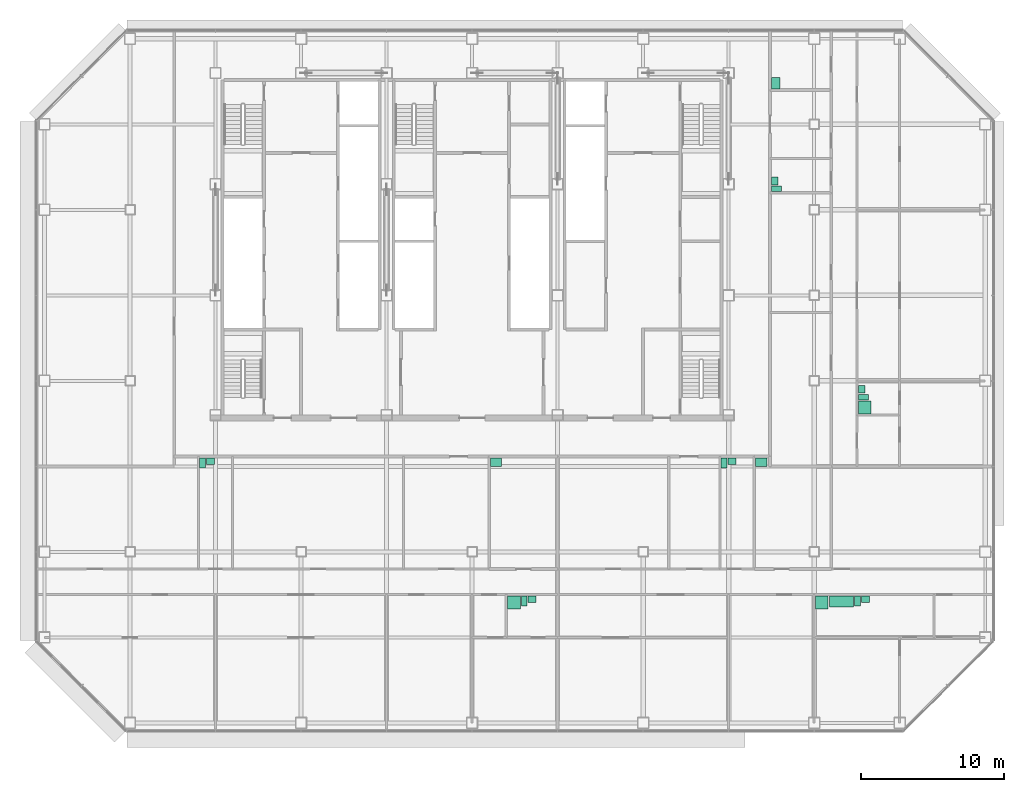
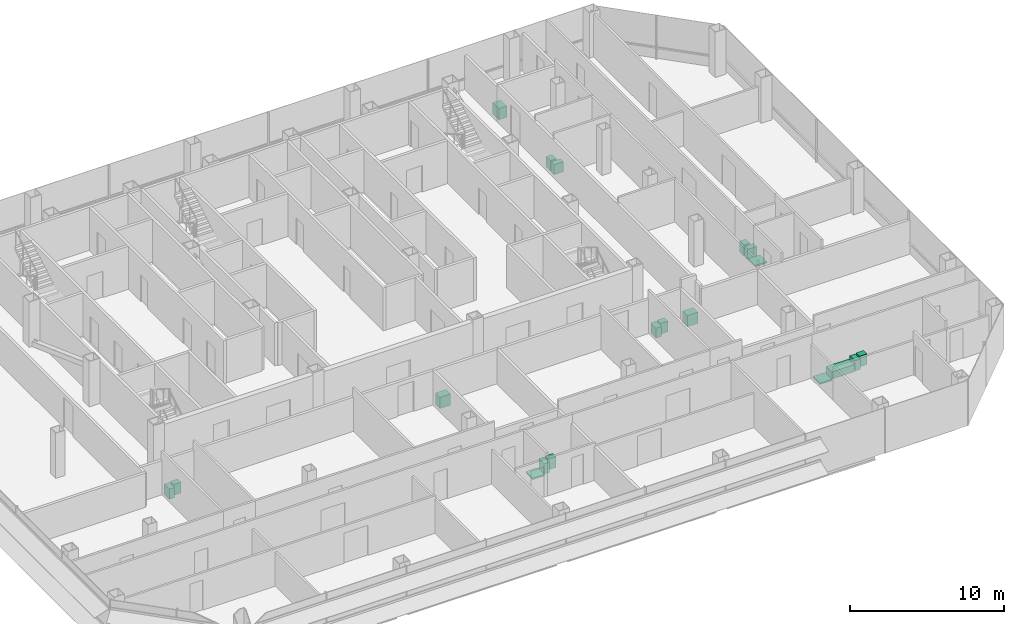
# One storey, part 25 of 25: 19 sanitary terminals.
"""IFC4 building model written with IfcOpenShell, lengths in metres."""

from ifc_helpers import new_model, si_unit, direction, frame, origin, origin_2d, place, context, subcontext, project, spatial, rectangle, extrude, element, save


model = new_model("IFC4")

# Units and contexts
model_context = context("Model", 3, precision=1e-05, world=origin(), true_north=direction((0.0, 1.0)))
body_context = subcontext(model_context, "Body", "Model", "MODEL_VIEW")
ifc_project = project(units=[si_unit("LENGTHUNIT", "METRE"), si_unit("AREAUNIT", "SQUARE_METRE"), si_unit("VOLUMEUNIT", "CUBIC_METRE"), si_unit("PLANEANGLEUNIT", "RADIAN"), si_unit("MASSUNIT", "GRAM", prefix="KILO")], contexts=[model_context])

# Site, building, storey
site_placement = place(None, origin())
site = spatial("IfcSite", under=ifc_project, at=site_placement, CompositionType="ELEMENT")
building_placement = place(site_placement, origin())
building = spatial("IfcBuilding", under=site, at=building_placement, Name="Sorahane Residences", CompositionType="ELEMENT")
storey_placement = place(building_placement, frame((0.0, 0.0, 130.39990234375)))
storey = spatial("IfcBuildingStorey", under=building, at=storey_placement, Name="L29", CompositionType="ELEMENT", Elevation=130.39990234375)

# Sanitary terminals
sanitary_terminal_1_placement = place(storey_placement, frame((26.929931640625, 8.449951171875, 0.0), z_axis=(0.0, 0.0, 1.0), x_axis=(1.0, 0.0, 0.0)))
element("IfcSanitaryTerminal", 1, at=sanitary_terminal_1_placement, inside=storey, Name="Shower tray En-suite bathroom 29A", PredefinedType="SHOWER", context=body_context, shape_type="SweptSolid", body=[
    extrude(rectangle(XDim=0.89990234375, YDim=0.89990234375, at=origin_2d()), origin(), (0.0, 0.0, 1.0), 0.1201171875),
])
sanitary_terminal_2_placement = place(storey_placement, frame((27.659912109375, 8.550048828125, 0.0), z_axis=(0.0, 0.0, 1.0), x_axis=(1.0, 0.0, 0.0)))
element("IfcSanitaryTerminal", 2, at=sanitary_terminal_2_placement, inside=storey, Name="WC pan En-suite bathroom 29A", PredefinedType="TOILETPAN", context=body_context, shape_type="SweptSolid", body=[
    extrude(rectangle(XDim=0.39990234375, YDim=0.699951171875, at=origin_2d()), origin(), (0.0, 0.0, 1.0), 0.800048828125),
])
sanitary_terminal_3_placement = place(storey_placement, frame((28.215087890625, 8.675048828125, 0.0), z_axis=(0.0, 0.0, 1.0), x_axis=(1.0, 0.0, 0.0)))
element("IfcSanitaryTerminal", 3, at=sanitary_terminal_3_placement, inside=storey, Name="Wash basin En-suite bathroom 29A", PredefinedType="WASHHANDBASIN", context=body_context, shape_type="SweptSolid", body=[
    extrude(rectangle(XDim=0.550048828125, YDim=0.449951171875, at=origin_2d()), origin(), (0.0, 0.0, 1.0), 0.85009765625),
])
sanitary_terminal_4_placement = place(storey_placement, frame((5.080078125, 18.25, 0.0), z_axis=(0.0, 0.0, 1.0), x_axis=(1.0, 0.0, 0.0)))
element("IfcSanitaryTerminal", 4, at=sanitary_terminal_4_placement, inside=storey, Name="WC pan Powder room 29A", PredefinedType="TOILETPAN", context=body_context, shape_type="SweptSolid", body=[
    extrude(rectangle(XDim=0.39990234375, YDim=0.699951171875, at=origin_2d()), origin(), (0.0, 0.0, 1.0), 0.800048828125),
])
sanitary_terminal_5_placement = place(storey_placement, frame((5.635009765625, 18.375, 0.0), z_axis=(0.0, 0.0, 1.0), x_axis=(1.0, 0.0, 0.0)))
element("IfcSanitaryTerminal", 5, at=sanitary_terminal_5_placement, inside=storey, Name="Wash basin Powder room 29A", PredefinedType="WASHHANDBASIN", context=body_context, shape_type="SweptSolid", body=[
    extrude(rectangle(XDim=0.550048828125, YDim=0.449951171875, at=origin_2d()), origin(), (0.0, 0.0, 1.0), 0.85009765625),
])
sanitary_terminal_6_placement = place(storey_placement, frame((25.679931640625, 18.300048828125, 0.000244140625), z_axis=(0.0, 0.0, 1.0), x_axis=(1.0, 0.0, 0.0)))
element("IfcSanitaryTerminal", 6, at=sanitary_terminal_6_placement, inside=storey, Name="Kitchen sink Kitchen 29A", PredefinedType="SINK", context=body_context, shape_type="SweptSolid", body=[
    extrude(rectangle(XDim=0.800048828125, YDim=0.60009765625, at=origin_2d()), origin(), (0.0, 0.0, 1.0), 0.89990234375),
])
sanitary_terminal_7_placement = place(storey_placement, frame((48.530029296875, 8.449951171875, 0.0), z_axis=(0.0, 0.0, 1.0), x_axis=(1.0, 0.0, 0.0)))
element("IfcSanitaryTerminal", 7, at=sanitary_terminal_7_placement, inside=storey, Name="Shower tray En-suite bathroom 29B", PredefinedType="SHOWER", context=body_context, shape_type="SweptSolid", body=[
    extrude(rectangle(XDim=0.89990234375, YDim=0.89990234375, at=origin_2d()), origin(), (0.0, 0.0, 1.0), 0.1201171875),
])
sanitary_terminal_8_placement = place(storey_placement, frame((49.909912109375, 8.52490234375, 0.0), z_axis=(0.0, 0.0, 1.0), x_axis=(1.0, 0.0, 0.0)))
element("IfcSanitaryTerminal", 8, at=sanitary_terminal_8_placement, inside=storey, Name="Bath En-suite bathroom 29B", PredefinedType="BATH", context=body_context, shape_type="SweptSolid", body=[
    extrude(rectangle(XDim=1.699951171875, YDim=0.75, at=origin_2d()), origin(), (0.0, 0.0, 1.0), 0.56005859375),
])
sanitary_terminal_9_placement = place(storey_placement, frame((51.0400390625, 8.550048828125, 0.0), z_axis=(0.0, 0.0, 1.0), x_axis=(1.0, 0.0, 0.0)))
element("IfcSanitaryTerminal", 9, at=sanitary_terminal_9_placement, inside=storey, Name="WC pan En-suite bathroom 29B", PredefinedType="TOILETPAN", context=body_context, shape_type="SweptSolid", body=[
    extrude(rectangle(XDim=0.39990234375, YDim=0.699951171875, at=origin_2d()), origin(), (0.0, 0.0, 1.0), 0.800048828125),
])
sanitary_terminal_10_placement = place(storey_placement, frame((51.594970703125, 8.675048828125, 0.0), z_axis=(0.0, 0.0, 1.0), x_axis=(1.0, 0.0, 0.0)))
element("IfcSanitaryTerminal", 10, at=sanitary_terminal_10_placement, inside=storey, Name="Wash basin En-suite bathroom 29B", PredefinedType="WASHHANDBASIN", context=body_context, shape_type="SweptSolid", body=[
    extrude(rectangle(XDim=0.550048828125, YDim=0.449951171875, at=origin_2d()), origin(), (0.0, 0.0, 1.0), 0.85009765625),
])
sanitary_terminal_11_placement = place(storey_placement, frame((41.679931640625, 18.25, 0.0), z_axis=(0.0, 0.0, 1.0), x_axis=(1.0, 0.0, 0.0)))
element("IfcSanitaryTerminal", 11, at=sanitary_terminal_11_placement, inside=storey, Name="WC pan Powder room 29B", PredefinedType="TOILETPAN", context=body_context, shape_type="SweptSolid", body=[
    extrude(rectangle(XDim=0.39990234375, YDim=0.699951171875, at=origin_2d()), origin(), (0.0, 0.0, 1.0), 0.800048828125),
])
sanitary_terminal_12_placement = place(storey_placement, frame((42.235107421875, 18.375, 0.0), z_axis=(0.0, 0.0, 1.0), x_axis=(1.0, 0.0, 0.0)))
element("IfcSanitaryTerminal", 12, at=sanitary_terminal_12_placement, inside=storey, Name="Wash basin Powder room 29B", PredefinedType="WASHHANDBASIN", context=body_context, shape_type="SweptSolid", body=[
    extrude(rectangle(XDim=0.550048828125, YDim=0.449951171875, at=origin_2d()), origin(), (0.0, 0.0, 1.0), 0.85009765625),
])
sanitary_terminal_13_placement = place(storey_placement, frame((44.280029296875, 18.300048828125, 0.000244140625), z_axis=(0.0, 0.0, 1.0), x_axis=(1.0, 0.0, 0.0)))
element("IfcSanitaryTerminal", 13, at=sanitary_terminal_13_placement, inside=storey, Name="Kitchen sink Kitchen 29B", PredefinedType="SINK", context=body_context, shape_type="SweptSolid", body=[
    extrude(rectangle(XDim=0.800048828125, YDim=0.60009765625, at=origin_2d()), origin(), (0.0, 0.0, 1.0), 0.89990234375),
])
sanitary_terminal_14_placement = place(storey_placement, frame((51.550048828125, 22.1298828125, 0.0), z_axis=(0.0, 0.0, 1.0), x_axis=(0.0, 1.0, 0.0)))
element("IfcSanitaryTerminal", 14, at=sanitary_terminal_14_placement, inside=storey, Name="Shower tray En-suite bathroom 29C", PredefinedType="SHOWER", context=body_context, shape_type="SweptSolid", body=[
    extrude(rectangle(XDim=0.89990234375, YDim=0.89990234375, at=origin_2d()), origin(), (0.0, 0.0, 1.0), 0.1201171875),
])
sanitary_terminal_15_placement = place(storey_placement, frame((51.449951171875, 22.860107421875, 0.0), z_axis=(0.0, 0.0, 1.0), x_axis=(0.0, 1.0, 0.0)))
element("IfcSanitaryTerminal", 15, at=sanitary_terminal_15_placement, inside=storey, Name="WC pan En-suite bathroom 29C", PredefinedType="TOILETPAN", context=body_context, shape_type="SweptSolid", body=[
    extrude(rectangle(XDim=0.39990234375, YDim=0.699951171875, at=origin_2d()), origin(), (0.0, 0.0, 1.0), 0.800048828125),
])
sanitary_terminal_16_placement = place(storey_placement, frame((51.324951171875, 23.4150390625, 0.0), z_axis=(0.0, 0.0, 1.0), x_axis=(0.0, 1.0, 0.0)))
element("IfcSanitaryTerminal", 16, at=sanitary_terminal_16_placement, inside=storey, Name="Wash basin En-suite bathroom 29C", PredefinedType="WASHHANDBASIN", context=body_context, shape_type="SweptSolid", body=[
    extrude(rectangle(XDim=0.550048828125, YDim=0.449951171875, at=origin_2d()), origin(), (0.0, 0.0, 1.0), 0.85009765625),
])
sanitary_terminal_17_placement = place(storey_placement, frame((45.35009765625, 37.47998046875, 0.0), z_axis=(0.0, 0.0, 1.0), x_axis=(0.0, 1.0, 0.0)))
element("IfcSanitaryTerminal", 17, at=sanitary_terminal_17_placement, inside=storey, Name="WC pan Powder room 29C", PredefinedType="TOILETPAN", context=body_context, shape_type="SweptSolid", body=[
    extrude(rectangle(XDim=0.39990234375, YDim=0.699951171875, at=origin_2d()), origin(), (0.0, 0.0, 1.0), 0.800048828125),
])
sanitary_terminal_18_placement = place(storey_placement, frame((45.22509765625, 38.034912109375, 0.0), z_axis=(0.0, 0.0, 1.0), x_axis=(0.0, 1.0, 0.0)))
element("IfcSanitaryTerminal", 18, at=sanitary_terminal_18_placement, inside=storey, Name="Wash basin Powder room 29C", PredefinedType="WASHHANDBASIN", context=body_context, shape_type="SweptSolid", body=[
    extrude(rectangle(XDim=0.550048828125, YDim=0.449951171875, at=origin_2d()), origin(), (0.0, 0.0, 1.0), 0.85009765625),
])
sanitary_terminal_19_placement = place(storey_placement, frame((45.300048828125, 44.8798828125, 0.000244140625), z_axis=(0.0, 0.0, 1.0), x_axis=(0.0, 1.0, 0.0)))
element("IfcSanitaryTerminal", 19, at=sanitary_terminal_19_placement, inside=storey, Name="Kitchen sink Kitchen 29C", PredefinedType="SINK", context=body_context, shape_type="SweptSolid", body=[
    extrude(rectangle(XDim=0.800048828125, YDim=0.60009765625, at=origin_2d()), origin(), (0.0, 0.0, 1.0), 0.89990234375),
])

save(model, "model.ifc")
